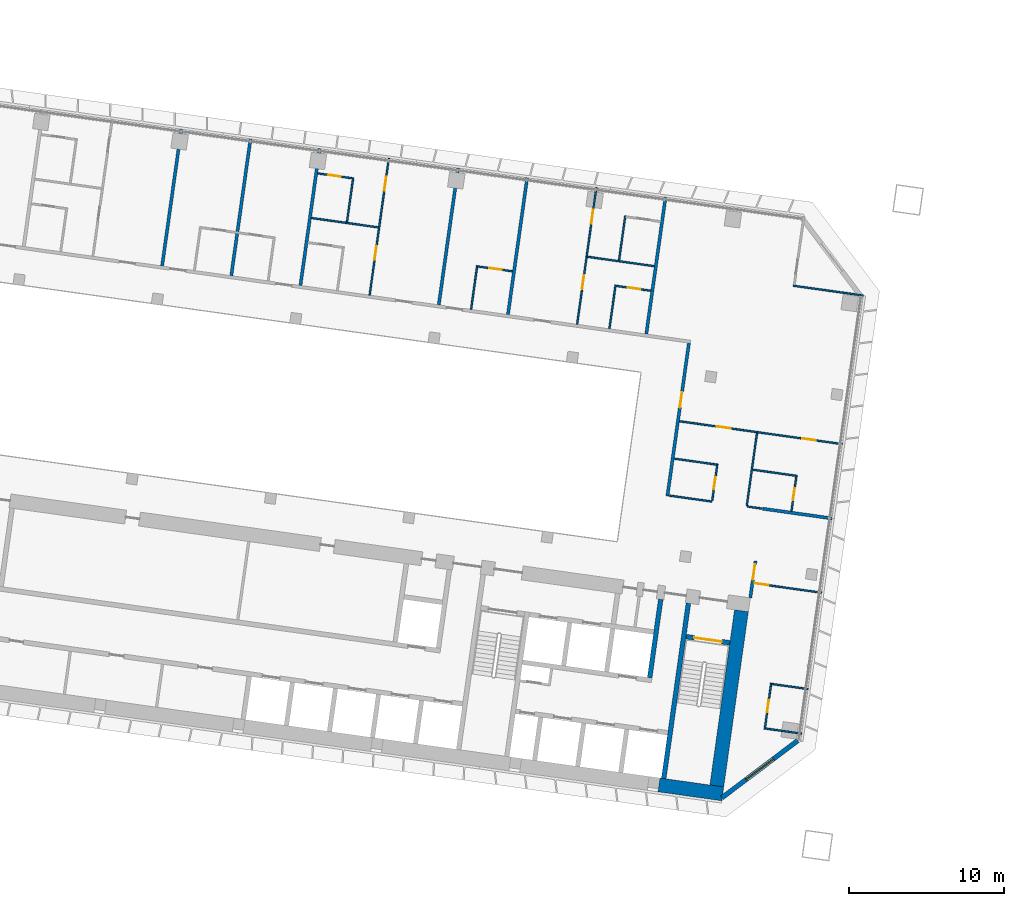
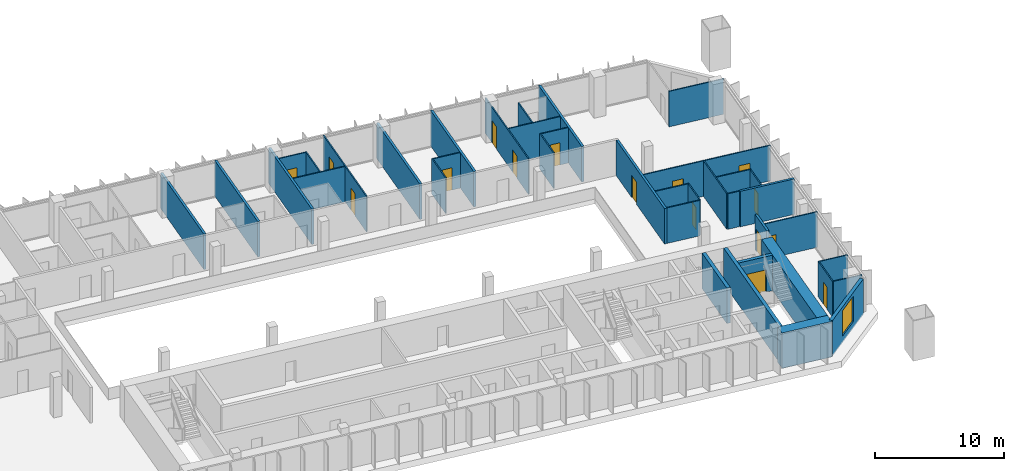
# One storey, part 17 of 25: 39 walls, 16 doors, 1 window, 17 openings.
"""IFC4 building model written with IfcOpenShell, lengths in metres."""

from ifc_helpers import new_model, si_unit, direction, frame, frame_2d, origin, place, context, subcontext, project, spatial, rectangle, extrude, material, layer, layer_set, type_object, element, fill, save


model = new_model("IFC4")

# Units and contexts
model_context = context("Model", 3, precision=1e-05, world=origin(), true_north=direction((0.0, 1.0)))
body_context = subcontext(model_context, "Body", "Model", "MODEL_VIEW")
ifc_project = project(units=[si_unit("LENGTHUNIT", "METRE"), si_unit("AREAUNIT", "SQUARE_METRE"), si_unit("VOLUMEUNIT", "CUBIC_METRE"), si_unit("PLANEANGLEUNIT", "RADIAN"), si_unit("MASSUNIT", "GRAM", prefix="KILO")], contexts=[model_context])

# Site, building, storey
site_placement = place(None, origin())
site = spatial("IfcSite", under=ifc_project, at=site_placement, CompositionType="ELEMENT")
building_placement = place(site_placement, origin())
building = spatial("IfcBuilding", under=site, at=building_placement, Name="Mirante Cascada Hotel Towers", CompositionType="ELEMENT")
storey_placement = place(building_placement, frame((0.0, 0.0, 54.7)))
storey = spatial("IfcBuildingStorey", under=building, at=storey_placement, Name="L10", CompositionType="ELEMENT", Elevation=54.7)

# Wall
ifc_material_1 = material(Name="Fire-rated plasterboard on metal studs")
ifc_layer_1 = layer(ifc_material_1, 0.2)
ifc_layer_set_1 = layer_set([ifc_layer_1], Name="Compartment wall 200 EI 120")
wall_type_1 = type_object("IfcWallType", Name="Compartment wall 200 EI 120", PredefinedType="PARTITIONING", material=ifc_layer_set_1)
wall_1_placement = place(storey_placement, frame((-34.4562, -1.3737, 0.0), z_axis=(0.0, 0.0, 1.0), x_axis=(0.9902674, -0.1391779, 0.0)))
element("IfcWall", 1, at=wall_1_placement, inside=storey, type_object=wall_type_1, Name="Wall 1-L10-04", PredefinedType="PARTITIONING", context=body_context, shape_type="SweptSolid", body=[
    extrude(rectangle(XDim=4.5, YDim=0.2, at=frame_2d((2.25, 0.0))), origin(), (0.0, 0.0, 1.0), 3.35),
])

# Wall, opening, door
wall_2_placement = place(storey_placement, frame((-35.2634, -7.1173, 0.0), z_axis=(0.0, 0.0, 1.0), x_axis=(0.1391635, 0.9902694, 0.0)))
wall_2 = element("IfcWall", 2, at=wall_2_placement, inside=storey, type_object=wall_type_1, Name="Wall 1-L10-33", PredefinedType="PARTITIONING", context=body_context, shape_type="SweptSolid", body=[
    extrude(rectangle(XDim=2.4001, YDim=0.2, at=frame_2d((1.2, 0.0))), origin(), (0.0, 0.0, 1.0), 3.35),
])
opening_1_placement = place(wall_2_placement, frame((1.1833, 0.0, 0.0)))
opening_1 = element("IfcOpeningElement", 3, at=opening_1_placement, cuts=wall_2, Name="Opening D1-L10-28", PredefinedType="OPENING", context=body_context, shape_type="SweptSolid", body=[
    extrude(rectangle(XDim=1.0, YDim=2.1, at=frame_2d((0.5, 1.05))), frame((0.0, 0.1, 0.0), z_axis=(0.0, -1.0, 0.0), x_axis=(1.0, 0.0, 0.0)), (0.0, 0.0, 1.0), 0.2),
])
ifc_material_2 = material(Name="Fire-rated timber door leaf", Category="wood")
door_type_1 = type_object("IfcDoorType", Name="Entrance door DG1 1000x2100 EI 60", OperationType="SINGLE_SWING_LEFT", PredefinedType="DOOR", material=ifc_material_2)
door_1_placement = place(opening_1_placement, frame((1.0, 0.0, 0.0), z_axis=(0.0, 0.0, 1.0), x_axis=(-1.0, 0.0, 0.0)))
door_1 = element("IfcDoor", 4, at=door_1_placement, inside=storey, type_object=door_type_1, Name="Door D1-L10-28", OperationType="SINGLE_SWING_RIGHT", OverallHeight=2.1, OverallWidth=1.0, PredefinedType="DOOR", context=body_context, shape_type="SweptSolid", body=[
    extrude(rectangle(XDim=1.0, YDim=2.1, at=frame_2d((0.5, 1.05))), frame((0.0, 0.025, 0.0), z_axis=(0.0, -1.0, 0.0), x_axis=(1.0, 0.0, 0.0)), (0.0, 0.0, 1.0), 0.05),
])
fill(opening_1, door_1)

wall_3_placement = place(storey_placement, frame((-40.6028, -0.5604, 0.0), z_axis=(0.0, 0.0, 1.0), x_axis=(0.1391655, 0.9902691, 0.0)))
wall_3 = element("IfcWall", 5, at=wall_3_placement, inside=storey, type_object=wall_type_1, Name="Wall 1-L10-37", PredefinedType="PARTITIONING", context=body_context, shape_type="SweptSolid", body=[
    extrude(rectangle(XDim=9.95, YDim=0.2, at=frame_2d((4.975, 0.0))), origin(), (0.0, 0.0, 1.0), 3.35),
])
opening_2_placement = place(wall_3_placement, frame((5.7666, 0.0, 0.0)))
opening_2 = element("IfcOpeningElement", 6, at=opening_2_placement, cuts=wall_3, Name="Opening D1-L10-31", PredefinedType="OPENING", context=body_context, shape_type="SweptSolid", body=[
    extrude(rectangle(XDim=1.0, YDim=2.1, at=frame_2d((0.5, 1.05))), frame((0.0, 0.1, 0.0), z_axis=(0.0, -1.0, 0.0), x_axis=(1.0, 0.0, 0.0)), (0.0, 0.0, 1.0), 0.2),
])
door_2_placement = place(opening_2_placement, frame((1.0, 0.0, 0.0), z_axis=(0.0, 0.0, 1.0), x_axis=(-1.0, 0.0, 0.0)))
door_2 = element("IfcDoor", 7, at=door_2_placement, inside=storey, type_object=door_type_1, Name="Door D1-L10-31", OperationType="SINGLE_SWING_RIGHT", OverallHeight=2.1, OverallWidth=1.0, PredefinedType="DOOR", context=body_context, shape_type="SweptSolid", body=[
    extrude(rectangle(XDim=1.0, YDim=2.1, at=frame_2d((0.5, 1.05))), frame((0.0, 0.025, 0.0), z_axis=(0.0, -1.0, 0.0), x_axis=(1.0, 0.0, 0.0)), (0.0, 0.0, 1.0), 0.05),
])
fill(opening_2, door_2)

# Walls
for number, where, z_axis, x_axis, name in (
    (8, (-40.7243, 18.6939, 0.0), (0.0, 0.0, 1.0), (-0.1391794, -0.9902672, 0.0), "Wall 1-L10-38"),
    (9, (-49.6367, 19.9465, 0.0), (0.0, 0.0, 1.0), (-0.1391794, -0.9902672, 0.0), "Wall 1-L10-42"),
    (10, (-54.0929, 20.5728, 0.0), (0.0, 0.0, 1.0), (-0.1391794, -0.9902672, 0.0), "Wall 1-L10-44"),
    (11, (-63.0054, 21.8253, 0.0), (0.0, 0.0, 1.0), (-0.1391684, -0.9902687, 0.0), "Wall 1-L10-48"),
    (12, (-67.4616, 22.4516, 0.0), (0.0, 0.0, 1.0), (-0.1391684, -0.9902687, 0.0), "Wall 1-L10-50"),
    (13, (-71.9178, 23.0779, 0.0), (0.0, 0.0, 1.0), (-0.1391684, -0.9902687, 0.0), "Wall 1-L10-52"),
):
    element("IfcWall", number, at=place(storey_placement, frame(where, z_axis=z_axis, x_axis=x_axis)), inside=storey, type_object=wall_type_1, Name=name, PredefinedType="PARTITIONING", context=body_context, shape_type="SweptSolid", body=[
        extrude(rectangle(XDim=8.9, YDim=0.2, at=frame_2d((4.45, 0.0))), origin(), (0.0, 0.0, 1.0), 3.35),
    ])
ifc_material_3 = material(Name="Plasterboard on metal studs")
ifc_layer_2 = layer(ifc_material_3, 0.1)
ifc_layer_set_2 = layer_set([ifc_layer_2], Name="Partition 100")
wall_type_2 = type_object("IfcWallType", Name="Partition 100", PredefinedType="PARTITIONING", material=ifc_layer_set_2)
for number, where, z_axis, x_axis, name in (
    (14, (-31.9484, -15.8638, 0.0), (0.0, 0.0, 1.0), (-0.9902661, 0.139187, 0.0), "Wall 1-L10-01"),
    (15, (-33.872, -12.6649, 0.0), (0.0, 0.0, 1.0), (0.9902661, -0.139187, 0.0), "Wall 1-L10-02"),
):
    element("IfcWall", number, at=place(storey_placement, frame(where, z_axis=z_axis, x_axis=x_axis)), inside=storey, type_object=wall_type_2, Name=name, PredefinedType="PARTITIONING", context=body_context, shape_type="SweptSolid", body=[
        extrude(rectangle(XDim=2.3501, YDim=0.1, at=frame_2d((1.175, 0.0))), origin(), (0.0, 0.0, 1.0), 3.35),
    ])

# Wall, opening, door
wall_4_placement = place(storey_placement, frame((-30.6727, -6.7863, 0.0), z_axis=(0.0, 0.0, 1.0), x_axis=(-0.9902665, 0.1391841, 0.0)))
wall_4 = element("IfcWall", 16, at=wall_4_placement, inside=storey, type_object=wall_type_2, Name="Wall 1-L10-03", PredefinedType="PARTITIONING", context=body_context, shape_type="SweptSolid", body=[
    extrude(rectangle(XDim=4.3999, YDim=0.1, at=frame_2d((2.2, 0.0))), origin(), (0.0, 0.0, 1.0), 3.35),
])
opening_3_placement = place(wall_4_placement, frame((3.45, 0.0, 0.0)))
opening_3 = element("IfcOpeningElement", 17, at=opening_3_placement, cuts=wall_4, Name="Opening D1-L10-01", PredefinedType="OPENING", context=body_context, shape_type="SweptSolid", body=[
    extrude(rectangle(XDim=0.9, YDim=2.1, at=frame_2d((0.45, 1.05))), frame((0.0, 0.05, 0.0), z_axis=(0.0, -1.0, 0.0), x_axis=(1.0, 0.0, 0.0)), (0.0, 0.0, 1.0), 0.1),
])
ifc_material_4 = material(Name="Timber door leaf", Category="wood")
door_type_2 = type_object("IfcDoorType", Name="Room door DG3 900x2100", OperationType="SINGLE_SWING_LEFT", PredefinedType="DOOR", material=ifc_material_4)
door_3_placement = place(opening_3_placement, origin())
door_3 = element("IfcDoor", 18, at=door_3_placement, inside=storey, type_object=door_type_2, Name="Door D1-L10-01", OperationType="SINGLE_SWING_LEFT", OverallHeight=2.1, OverallWidth=0.9, PredefinedType="DOOR", context=body_context, shape_type="SweptSolid", body=[
    extrude(rectangle(XDim=0.9, YDim=2.1, at=frame_2d((0.45, 1.05))), frame((0.0, 0.025, 0.0), z_axis=(0.0, -1.0, 0.0), x_axis=(1.0, 0.0, 0.0)), (0.0, 0.0, 1.0), 0.05),
])
fill(opening_3, door_3)

# Walls
wall_5_placement = place(storey_placement, frame((-34.4859, -1.3695, 0.0), z_axis=(0.0, 0.0, 1.0), x_axis=(-0.9902801, 0.1390877, 0.0)))
element("IfcWall", 19, at=wall_5_placement, inside=storey, type_object=wall_type_2, Name="Wall 1-L10-05", PredefinedType="PARTITIONING", context=body_context, shape_type="SweptSolid", body=[
    extrude(rectangle(XDim=0.99, YDim=0.1, at=frame_2d((0.495, 0.0))), origin(), (0.0, 0.0, 1.0), 3.35),
])
wall_6_placement = place(storey_placement, frame((-40.4671, -0.5289, 0.0), z_axis=(0.0, 0.0, 1.0), x_axis=(0.9902645, -0.1391984, 0.0)))
element("IfcWall", 20, at=wall_6_placement, inside=storey, type_object=wall_type_2, Name="Wall 1-L10-06", PredefinedType="PARTITIONING", context=body_context, shape_type="SweptSolid", body=[
    extrude(rectangle(XDim=2.74, YDim=0.1, at=frame_2d((1.37, 0.0))), origin(), (0.0, 0.0, 1.0), 3.35),
])
wall_7_placement = place(storey_placement, frame((-35.1125, 1.1421, 0.0), z_axis=(0.0, 0.0, 1.0), x_axis=(0.9902683, -0.1391714, 0.0)))
element("IfcWall", 21, at=wall_7_placement, inside=storey, type_object=wall_type_2, Name="Wall 1-L10-08", PredefinedType="PARTITIONING", context=body_context, shape_type="SweptSolid", body=[
    extrude(rectangle(XDim=2.9, YDim=0.1, at=frame_2d((1.45, 0.0))), origin(), (0.0, 0.0, 1.0), 3.35),
])
wall_8_placement = place(storey_placement, frame((-37.3406, 1.4552, 0.0), z_axis=(0.0, 0.0, 1.0), x_axis=(-0.9902649, 0.1391957, 0.0)))
element("IfcWall", 22, at=wall_8_placement, inside=storey, type_object=wall_type_2, Name="Wall 1-L10-09", PredefinedType="PARTITIONING", context=body_context, shape_type="SweptSolid", body=[
    extrude(rectangle(XDim=2.8499, YDim=0.1, at=frame_2d((1.425, 0.0))), origin(), (0.0, 0.0, 1.0), 3.35),
])

# Wall, openings, doors
wall_9_placement = place(storey_placement, frame((-39.8242, 4.2615, 0.0), z_axis=(0.0, 0.0, 1.0), x_axis=(0.9902686, -0.1391691, 0.0)))
wall_9 = element("IfcWall", 23, at=wall_9_placement, inside=storey, type_object=wall_type_2, Name="Wall 1-L10-12", PredefinedType="PARTITIONING", context=body_context, shape_type="SweptSolid", body=[
    extrude(rectangle(XDim=10.6001, YDim=0.1, at=frame_2d((5.3, 0.0))), origin(), (0.0, 0.0, 1.0), 3.35),
])
opening_4_placement = place(wall_9_placement, frame((7.975, 0.0, 0.0)))
opening_4 = element("IfcOpeningElement", 24, at=opening_4_placement, cuts=wall_9, Name="Opening D1-L10-04", PredefinedType="OPENING", context=body_context, shape_type="SweptSolid", body=[
    extrude(rectangle(XDim=0.9, YDim=2.1, at=frame_2d((0.45, 1.05))), frame((0.0, 0.05, 0.0), z_axis=(0.0, -1.0, 0.0), x_axis=(1.0, 0.0, 0.0)), (0.0, 0.0, 1.0), 0.1),
])
opening_5_placement = place(wall_9_placement, frame((2.425, 0.0, 0.0)))
opening_5 = element("IfcOpeningElement", 25, at=opening_5_placement, cuts=wall_9, Name="Opening D1-L10-05", PredefinedType="OPENING", context=body_context, shape_type="SweptSolid", body=[
    extrude(rectangle(XDim=0.9, YDim=2.1, at=frame_2d((0.45, 1.05))), frame((0.0, 0.05, 0.0), z_axis=(0.0, -1.0, 0.0), x_axis=(1.0, 0.0, 0.0)), (0.0, 0.0, 1.0), 0.1),
])
door_4_placement = place(opening_4_placement, origin())
door_4 = element("IfcDoor", 26, at=door_4_placement, inside=storey, type_object=door_type_2, Name="Door D1-L10-04", OperationType="SINGLE_SWING_LEFT", OverallHeight=2.1, OverallWidth=0.9, PredefinedType="DOOR", context=body_context, shape_type="SweptSolid", body=[
    extrude(rectangle(XDim=0.9, YDim=2.1, at=frame_2d((0.45, 1.05))), frame((0.0, 0.025, 0.0), z_axis=(0.0, -1.0, 0.0), x_axis=(1.0, 0.0, 0.0)), (0.0, 0.0, 1.0), 0.05),
])
fill(opening_4, door_4)
door_5_placement = place(opening_5_placement, origin())
door_5 = element("IfcDoor", 27, at=door_5_placement, inside=storey, type_object=door_type_2, Name="Door D1-L10-05", OperationType="SINGLE_SWING_LEFT", OverallHeight=2.1, OverallWidth=0.9, PredefinedType="DOOR", context=body_context, shape_type="SweptSolid", body=[
    extrude(rectangle(XDim=0.9, YDim=2.1, at=frame_2d((0.45, 1.05))), frame((0.0, 0.025, 0.0), z_axis=(0.0, -1.0, 0.0), x_axis=(1.0, 0.0, 0.0)), (0.0, 0.0, 1.0), 0.05),
])
fill(opening_5, door_5)

# Wall, opening, door
wall_10_placement = place(storey_placement, frame((-43.9004, 12.9804, 0.0), z_axis=(0.0, 0.0, 1.0), x_axis=(0.9902643, -0.1391997, 0.0)))
wall_10 = element("IfcWall", 28, at=wall_10_placement, inside=storey, type_object=wall_type_2, Name="Wall 1-L10-18", PredefinedType="PARTITIONING", context=body_context, shape_type="SweptSolid", body=[
    extrude(rectangle(XDim=2.25, YDim=0.1, at=frame_2d((1.125, 0.0))), origin(), (0.0, 0.0, 1.0), 3.35),
])
opening_6_placement = place(wall_10_placement, frame((0.75, 0.0, 0.0)))
opening_6 = element("IfcOpeningElement", 29, at=opening_6_placement, cuts=wall_10, Name="Opening D1-L10-16", PredefinedType="OPENING", context=body_context, shape_type="SweptSolid", body=[
    extrude(rectangle(XDim=0.8, YDim=2.1, at=frame_2d((0.4, 1.05))), frame((0.0, 0.05, 0.0), z_axis=(0.0, -1.0, 0.0), x_axis=(1.0, 0.0, 0.0)), (0.0, 0.0, 1.0), 0.1),
])
ifc_material_5 = material(Name="Timber door leaf", Category="wood")
door_type_3 = type_object("IfcDoorType", Name="Bathroom door DG4 800x2100", OperationType="SINGLE_SWING_LEFT", PredefinedType="DOOR", material=ifc_material_5)
door_6_placement = place(opening_6_placement, frame((0.8, 0.0, 0.0), z_axis=(0.0, 0.0, 1.0), x_axis=(-1.0, 0.0, 0.0)))
door_6 = element("IfcDoor", 30, at=door_6_placement, inside=storey, type_object=door_type_3, Name="Door D1-L10-16", OperationType="SINGLE_SWING_RIGHT", OverallHeight=2.1, OverallWidth=0.8, PredefinedType="DOOR", context=body_context, shape_type="SweptSolid", body=[
    extrude(rectangle(XDim=0.8, YDim=2.1, at=frame_2d((0.4, 1.05))), frame((0.0, 0.025, 0.0), z_axis=(0.0, -1.0, 0.0), x_axis=(1.0, 0.0, 0.0)), (0.0, 0.0, 1.0), 0.05),
])
fill(opening_6, door_6)

wall_11_placement = place(storey_placement, frame((-50.5847, 13.9198, 0.0), z_axis=(0.0, 0.0, 1.0), x_axis=(-0.9902705, 0.1391561, 0.0)))
wall_11 = element("IfcWall", 31, at=wall_11_placement, inside=storey, type_object=wall_type_2, Name="Wall 1-L10-19", PredefinedType="PARTITIONING", context=body_context, shape_type="SweptSolid", body=[
    extrude(rectangle(XDim=2.25, YDim=0.1, at=frame_2d((1.125, 0.0))), origin(), (0.0, 0.0, 1.0), 3.35),
])
opening_7_placement = place(wall_11_placement, frame((0.7, 0.0, 0.0)))
opening_7 = element("IfcOpeningElement", 32, at=opening_7_placement, cuts=wall_11, Name="Opening D1-L10-17", PredefinedType="OPENING", context=body_context, shape_type="SweptSolid", body=[
    extrude(rectangle(XDim=0.8, YDim=2.1, at=frame_2d((0.4, 1.05))), frame((0.0, 0.05, 0.0), z_axis=(0.0, -1.0, 0.0), x_axis=(1.0, 0.0, 0.0)), (0.0, 0.0, 1.0), 0.1),
])
door_7_placement = place(opening_7_placement, frame((0.8, 0.0, 0.0), z_axis=(0.0, 0.0, 1.0), x_axis=(-1.0, 0.0, 0.0)))
door_7 = element("IfcDoor", 33, at=door_7_placement, inside=storey, type_object=door_type_3, Name="Door D1-L10-17", OperationType="SINGLE_SWING_RIGHT", OverallHeight=2.1, OverallWidth=0.8, PredefinedType="DOOR", context=body_context, shape_type="SweptSolid", body=[
    extrude(rectangle(XDim=0.8, YDim=2.1, at=frame_2d((0.4, 1.05))), frame((0.0, 0.025, 0.0), z_axis=(0.0, -1.0, 0.0), x_axis=(1.0, 0.0, 0.0)), (0.0, 0.0, 1.0), 0.05),
])
fill(opening_7, door_7)

# Walls
wall_12_placement = place(storey_placement, frame((-32.4877, 12.9921, 0.0), z_axis=(0.0, 0.0, 1.0), x_axis=(0.9902691, -0.1391656, 0.0)))
element("IfcWall", 34, at=wall_12_placement, inside=storey, type_object=wall_type_2, Name="Wall 1-L10-24", PredefinedType="PARTITIONING", context=body_context, shape_type="SweptSolid", body=[
    extrude(rectangle(XDim=4.55, YDim=0.1, at=frame_2d((2.275, 0.0))), origin(), (0.0, 0.0, 1.0), 3.35),
])
for number, where, z_axis, x_axis, name in (
    (35, (-41.4496, 14.2516, 0.0), (0.0, 0.0, 1.0), (-0.9902683, 0.1391714, 0.0), "Wall 1-L10-25"),
    (36, (-63.5326, 17.3552, 0.0), (0.0, 0.0, 1.0), (0.9902683, -0.1391714, 0.0), "Wall 1-L10-26"),
):
    element("IfcWall", number, at=place(storey_placement, frame(where, z_axis=z_axis, x_axis=x_axis)), inside=storey, type_object=wall_type_2, Name=name, PredefinedType="PARTITIONING", context=body_context, shape_type="SweptSolid", body=[
        extrude(rectangle(XDim=4.35, YDim=0.1, at=frame_2d((2.175, 0.0))), origin(), (0.0, 0.0, 1.0), 3.35),
    ])

# Wall, opening, door
wall_13_placement = place(storey_placement, frame((-60.9009, 19.9138, 0.0), z_axis=(0.0, 0.0, 1.0), x_axis=(-0.9902643, 0.1391997, 0.0)))
wall_13 = element("IfcWall", 37, at=wall_13_placement, inside=storey, type_object=wall_type_2, Name="Wall 1-L10-29", PredefinedType="PARTITIONING", context=body_context, shape_type="SweptSolid", body=[
    extrude(rectangle(XDim=2.25, YDim=0.1, at=frame_2d((1.125, 0.0))), origin(), (0.0, 0.0, 1.0), 3.35),
])
opening_8_placement = place(wall_13_placement, frame((0.75, 0.0, 0.0)))
opening_8 = element("IfcOpeningElement", 38, at=opening_8_placement, cuts=wall_13, Name="Opening D1-L10-24", PredefinedType="OPENING", context=body_context, shape_type="SweptSolid", body=[
    extrude(rectangle(XDim=0.8, YDim=2.1, at=frame_2d((0.4, 1.05))), frame((0.0, 0.05, 0.0), z_axis=(0.0, -1.0, 0.0), x_axis=(1.0, 0.0, 0.0)), (0.0, 0.0, 1.0), 0.1),
])
door_8_placement = place(opening_8_placement, origin())
door_8 = element("IfcDoor", 39, at=door_8_placement, inside=storey, type_object=door_type_3, Name="Door D1-L10-24", OperationType="SINGLE_SWING_LEFT", OverallHeight=2.1, OverallWidth=0.8, PredefinedType="DOOR", context=body_context, shape_type="SweptSolid", body=[
    extrude(rectangle(XDim=0.8, YDim=2.1, at=frame_2d((0.4, 1.05))), frame((0.0, 0.025, 0.0), z_axis=(0.0, -1.0, 0.0), x_axis=(1.0, 0.0, 0.0)), (0.0, 0.0, 1.0), 0.05),
])
fill(opening_8, door_8)

wall_14_placement = place(storey_placement, frame((-34.332, -15.5793, 0.0), z_axis=(0.0, 0.0, 1.0), x_axis=(0.1391624, 0.9902696, 0.0)))
wall_14 = element("IfcWall", 40, at=wall_14_placement, inside=storey, type_object=wall_type_2, Name="Wall 1-L10-31", PredefinedType="PARTITIONING", context=body_context, shape_type="SweptSolid", body=[
    extrude(rectangle(XDim=3.0001, YDim=0.1, at=frame_2d((1.5001, 0.0))), origin(), (0.0, 0.0, 1.0), 3.35),
])
opening_9_placement = place(wall_14_placement, frame((1.1, 0.0, 0.0)))
opening_9 = element("IfcOpeningElement", 41, at=opening_9_placement, cuts=wall_14, Name="Opening D1-L10-26", PredefinedType="OPENING", context=body_context, shape_type="SweptSolid", body=[
    extrude(rectangle(XDim=0.8, YDim=2.1, at=frame_2d((0.4, 1.05))), frame((0.0, 0.05, 0.0), z_axis=(0.0, -1.0, 0.0), x_axis=(1.0, 0.0, 0.0)), (0.0, 0.0, 1.0), 0.1),
])
door_9_placement = place(opening_9_placement, origin())
door_9 = element("IfcDoor", 42, at=door_9_placement, inside=storey, type_object=door_type_3, Name="Door D1-L10-26", OperationType="SINGLE_SWING_LEFT", OverallHeight=2.1, OverallWidth=0.8, PredefinedType="DOOR", context=body_context, shape_type="SweptSolid", body=[
    extrude(rectangle(XDim=0.8, YDim=2.1, at=frame_2d((0.4, 1.05))), frame((0.0, 0.025, 0.0), z_axis=(0.0, -1.0, 0.0), x_axis=(1.0, 0.0, 0.0)), (0.0, 0.0, 1.0), 0.05),
])
fill(opening_9, door_9)

wall_15_placement = place(storey_placement, frame((-32.2972, 0.6959, 0.0), z_axis=(0.0, 0.0, 1.0), x_axis=(-0.1391561, -0.9902705, 0.0)))
wall_15 = element("IfcWall", 43, at=wall_15_placement, inside=storey, type_object=wall_type_2, Name="Wall 1-L10-32", PredefinedType="PARTITIONING", context=body_context, shape_type="SweptSolid", body=[
    extrude(rectangle(XDim=2.25, YDim=0.1, at=frame_2d((1.125, 0.0))), origin(), (0.0, 0.0, 1.0), 3.35),
])
opening_10_placement = place(wall_15_placement, frame((0.75, 0.0, 0.0)))
opening_10 = element("IfcOpeningElement", 44, at=opening_10_placement, cuts=wall_15, Name="Opening D1-L10-27", PredefinedType="OPENING", context=body_context, shape_type="SweptSolid", body=[
    extrude(rectangle(XDim=0.8, YDim=2.1, at=frame_2d((0.4, 1.05))), frame((0.0, 0.05, 0.0), z_axis=(0.0, -1.0, 0.0), x_axis=(1.0, 0.0, 0.0)), (0.0, 0.0, 1.0), 0.1),
])
door_10_placement = place(opening_10_placement, frame((0.8, 0.0, 0.0), z_axis=(0.0, 0.0, 1.0), x_axis=(-1.0, 0.0, 0.0)))
door_10 = element("IfcDoor", 45, at=door_10_placement, inside=storey, type_object=door_type_3, Name="Door D1-L10-27", OperationType="SINGLE_SWING_RIGHT", OverallHeight=2.1, OverallWidth=0.8, PredefinedType="DOOR", context=body_context, shape_type="SweptSolid", body=[
    extrude(rectangle(XDim=0.8, YDim=2.1, at=frame_2d((0.4, 1.05))), frame((0.0, 0.025, 0.0), z_axis=(0.0, -1.0, 0.0), x_axis=(1.0, 0.0, 0.0)), (0.0, 0.0, 1.0), 0.05),
])
fill(opening_10, door_10)

# Wall
wall_16_placement = place(storey_placement, frame((-35.489, -1.1781, 0.0), z_axis=(0.0, 0.0, 1.0), x_axis=(0.1391613, 0.9902697, 0.0)))
element("IfcWall", 46, at=wall_16_placement, inside=storey, type_object=wall_type_2, Name="Wall 1-L10-35", PredefinedType="PARTITIONING", context=body_context, shape_type="SweptSolid", body=[
    extrude(rectangle(XDim=4.7334, YDim=0.1, at=frame_2d((2.3667, 0.0))), origin(), (0.0, 0.0, 1.0), 3.35),
])

# Wall, opening, door
wall_17_placement = place(storey_placement, frame((-37.397, 1.4127, 0.0), z_axis=(0.0, 0.0, 1.0), x_axis=(-0.1391749, -0.9902678, 0.0)))
wall_17 = element("IfcWall", 47, at=wall_17_placement, inside=storey, type_object=wall_type_2, Name="Wall 1-L10-36", PredefinedType="PARTITIONING", context=body_context, shape_type="SweptSolid", body=[
    extrude(rectangle(XDim=2.3, YDim=0.1, at=frame_2d((1.15, 0.0))), origin(), (0.0, 0.0, 1.0), 3.35),
])
opening_11_placement = place(wall_17_placement, frame((0.75, 0.0, 0.0)))
opening_11 = element("IfcOpeningElement", 48, at=opening_11_placement, cuts=wall_17, Name="Opening D1-L10-30", PredefinedType="OPENING", context=body_context, shape_type="SweptSolid", body=[
    extrude(rectangle(XDim=0.8, YDim=2.1, at=frame_2d((0.4, 1.05))), frame((0.0, 0.05, 0.0), z_axis=(0.0, -1.0, 0.0), x_axis=(1.0, 0.0, 0.0)), (0.0, 0.0, 1.0), 0.1),
])
door_11_placement = place(opening_11_placement, frame((0.8, 0.0, 0.0), z_axis=(0.0, 0.0, 1.0), x_axis=(-1.0, 0.0, 0.0)))
door_11 = element("IfcDoor", 49, at=door_11_placement, inside=storey, type_object=door_type_3, Name="Door D1-L10-30", OperationType="SINGLE_SWING_RIGHT", OverallHeight=2.1, OverallWidth=0.8, PredefinedType="DOOR", context=body_context, shape_type="SweptSolid", body=[
    extrude(rectangle(XDim=0.8, YDim=2.1, at=frame_2d((0.4, 1.05))), frame((0.0, 0.025, 0.0), z_axis=(0.0, -1.0, 0.0), x_axis=(1.0, 0.0, 0.0)), (0.0, 0.0, 1.0), 0.05),
])
fill(opening_11, door_11)

# Walls
wall_18_placement = place(storey_placement, frame((-44.3396, 10.2146, 0.0), z_axis=(0.0, 0.0, 1.0), x_axis=(0.1391613, 0.9902697, 0.0)))
element("IfcWall", 50, at=wall_18_placement, inside=storey, type_object=wall_type_2, Name="Wall 1-L10-39", PredefinedType="PARTITIONING", context=body_context, shape_type="SweptSolid", body=[
    extrude(rectangle(XDim=2.8499, YDim=0.1, at=frame_2d((1.425, 0.0))), origin(), (0.0, 0.0, 1.0), 3.35),
])
wall_19_placement = place(storey_placement, frame((-43.3167, 17.493, 0.0), z_axis=(0.0, 0.0, 1.0), x_axis=(-0.1391761, -0.9902676, 0.0)))
element("IfcWall", 51, at=wall_19_placement, inside=storey, type_object=wall_type_2, Name="Wall 1-L10-40", PredefinedType="PARTITIONING", context=body_context, shape_type="SweptSolid", body=[
    extrude(rectangle(XDim=2.8999, YDim=0.1, at=frame_2d((1.45, 0.0))), origin(), (0.0, 0.0, 1.0), 3.35),
])

# Wall, openings, doors
wall_20_placement = place(storey_placement, frame((-46.4192, 10.5068, 0.0), z_axis=(0.0, 0.0, 1.0), x_axis=(0.1391794, 0.9902672, 0.0)))
wall_20 = element("IfcWall", 52, at=wall_20_placement, inside=storey, type_object=wall_type_2, Name="Wall 1-L10-41", PredefinedType="PARTITIONING", context=body_context, shape_type="SweptSolid", body=[
    extrude(rectangle(XDim=8.9, YDim=0.1, at=frame_2d((4.45, 0.0))), origin(), (0.0, 0.0, 1.0), 3.35),
])
opening_12_placement = place(wall_20_placement, frame((2.3, 0.0, 0.0)))
opening_12 = element("IfcOpeningElement", 53, at=opening_12_placement, cuts=wall_20, Name="Opening D1-L10-32", PredefinedType="OPENING", context=body_context, shape_type="SweptSolid", body=[
    extrude(rectangle(XDim=0.9, YDim=2.1, at=frame_2d((0.45, 1.05))), frame((0.0, 0.05, 0.0), z_axis=(0.0, -1.0, 0.0), x_axis=(1.0, 0.0, 0.0)), (0.0, 0.0, 1.0), 0.1),
])
opening_13_placement = place(wall_20_placement, frame((6.55, 0.0, 0.0)))
opening_13 = element("IfcOpeningElement", 54, at=opening_13_placement, cuts=wall_20, Name="Opening D1-L10-33", PredefinedType="OPENING", context=body_context, shape_type="SweptSolid", body=[
    extrude(rectangle(XDim=0.9, YDim=2.1, at=frame_2d((0.45, 1.05))), frame((0.0, 0.05, 0.0), z_axis=(0.0, -1.0, 0.0), x_axis=(1.0, 0.0, 0.0)), (0.0, 0.0, 1.0), 0.1),
])
door_12_placement = place(opening_12_placement, origin())
door_12 = element("IfcDoor", 55, at=door_12_placement, inside=storey, type_object=door_type_2, Name="Door D1-L10-32", OperationType="SINGLE_SWING_LEFT", OverallHeight=2.1, OverallWidth=0.9, PredefinedType="DOOR", context=body_context, shape_type="SweptSolid", body=[
    extrude(rectangle(XDim=0.9, YDim=2.1, at=frame_2d((0.45, 1.05))), frame((0.0, 0.025, 0.0), z_axis=(0.0, -1.0, 0.0), x_axis=(1.0, 0.0, 0.0)), (0.0, 0.0, 1.0), 0.05),
])
fill(opening_12, door_12)
door_13_placement = place(opening_13_placement, origin())
door_13 = element("IfcDoor", 56, at=door_13_placement, inside=storey, type_object=door_type_2, Name="Door D1-L10-33", OperationType="SINGLE_SWING_LEFT", OverallHeight=2.1, OverallWidth=0.9, PredefinedType="DOOR", context=body_context, shape_type="SweptSolid", body=[
    extrude(rectangle(XDim=0.9, YDim=2.1, at=frame_2d((0.45, 1.05))), frame((0.0, 0.025, 0.0), z_axis=(0.0, -1.0, 0.0), x_axis=(1.0, 0.0, 0.0)), (0.0, 0.0, 1.0), 0.05),
])
fill(opening_13, door_13)

# Wall
wall_21_placement = place(storey_placement, frame((-53.252, 11.4671, 0.0), z_axis=(0.0, 0.0, 1.0), x_axis=(0.1391564, 0.9902704, 0.0)))
element("IfcWall", 57, at=wall_21_placement, inside=storey, type_object=wall_type_2, Name="Wall 1-L10-43", PredefinedType="PARTITIONING", context=body_context, shape_type="SweptSolid", body=[
    extrude(rectangle(XDim=2.85, YDim=0.1, at=frame_2d((1.425, 0.0))), origin(), (0.0, 0.0, 1.0), 3.35),
])

# Wall, openings, doors
wall_22_placement = place(storey_placement, frame((-59.7878, 12.3857, 0.0), z_axis=(0.0, 0.0, 1.0), x_axis=(0.13917, 0.9902685, 0.0)))
wall_22 = element("IfcWall", 58, at=wall_22_placement, inside=storey, type_object=wall_type_2, Name="Wall 1-L10-45", PredefinedType="PARTITIONING", context=body_context, shape_type="SweptSolid", body=[
    extrude(rectangle(XDim=8.8999, YDim=0.1, at=frame_2d((4.45, 0.0))), origin(), (0.0, 0.0, 1.0), 3.35),
])
opening_14_placement = place(wall_22_placement, frame((2.3, 0.0, 0.0)))
opening_14 = element("IfcOpeningElement", 59, at=opening_14_placement, cuts=wall_22, Name="Opening D1-L10-34", PredefinedType="OPENING", context=body_context, shape_type="SweptSolid", body=[
    extrude(rectangle(XDim=0.9, YDim=2.1, at=frame_2d((0.45, 1.05))), frame((0.0, 0.05, 0.0), z_axis=(0.0, -1.0, 0.0), x_axis=(1.0, 0.0, 0.0)), (0.0, 0.0, 1.0), 0.1),
])
opening_15_placement = place(wall_22_placement, frame((6.8, 0.0, 0.0)))
opening_15 = element("IfcOpeningElement", 60, at=opening_15_placement, cuts=wall_22, Name="Opening D1-L10-35", PredefinedType="OPENING", context=body_context, shape_type="SweptSolid", body=[
    extrude(rectangle(XDim=0.9, YDim=2.1, at=frame_2d((0.45, 1.05))), frame((0.0, 0.05, 0.0), z_axis=(0.0, -1.0, 0.0), x_axis=(1.0, 0.0, 0.0)), (0.0, 0.0, 1.0), 0.1),
])
door_14_placement = place(opening_14_placement, frame((0.9, 0.0, 0.0), z_axis=(0.0, 0.0, 1.0), x_axis=(-1.0, 0.0, 0.0)))
door_14 = element("IfcDoor", 61, at=door_14_placement, inside=storey, type_object=door_type_2, Name="Door D1-L10-34", OperationType="SINGLE_SWING_RIGHT", OverallHeight=2.1, OverallWidth=0.9, PredefinedType="DOOR", context=body_context, shape_type="SweptSolid", body=[
    extrude(rectangle(XDim=0.9, YDim=2.1, at=frame_2d((0.45, 1.05))), frame((0.0, 0.025, 0.0), z_axis=(0.0, -1.0, 0.0), x_axis=(1.0, 0.0, 0.0)), (0.0, 0.0, 1.0), 0.05),
])
fill(opening_14, door_14)
door_15_placement = place(opening_15_placement, frame((0.9, 0.0, 0.0), z_axis=(0.0, 0.0, 1.0), x_axis=(-1.0, 0.0, 0.0)))
door_15 = element("IfcDoor", 62, at=door_15_placement, inside=storey, type_object=door_type_2, Name="Door D1-L10-35", OperationType="SINGLE_SWING_RIGHT", OverallHeight=2.1, OverallWidth=0.9, PredefinedType="DOOR", context=body_context, shape_type="SweptSolid", body=[
    extrude(rectangle(XDim=0.9, YDim=2.1, at=frame_2d((0.45, 1.05))), frame((0.0, 0.025, 0.0), z_axis=(0.0, -1.0, 0.0), x_axis=(1.0, 0.0, 0.0)), (0.0, 0.0, 1.0), 0.05),
])
fill(opening_15, door_15)

# Wall
wall_23_placement = place(storey_placement, frame((-61.248, 17.0846, 0.0), z_axis=(0.0, 0.0, 1.0), x_axis=(0.1391714, 0.9902683, 0.0)))
element("IfcWall", 63, at=wall_23_placement, inside=storey, type_object=wall_type_2, Name="Wall 1-L10-47", PredefinedType="PARTITIONING", context=body_context, shape_type="SweptSolid", body=[
    extrude(rectangle(XDim=2.9, YDim=0.1, at=frame_2d((1.45, 0.0))), origin(), (0.0, 0.0, 1.0), 3.35),
])

# Wall, opening, window
ifc_material_6 = material(Name="Precast concrete C40/50", Category="concrete")
ifc_layer_3 = layer(ifc_material_6, 0.3)
ifc_layer_set_3 = layer_set([ifc_layer_3], Name="Precast concrete C40/50 cladding wall 300")
wall_type_3 = type_object("IfcWallType", Name="Precast concrete C40/50 cladding wall 300", PredefinedType="STANDARD", material=ifc_layer_set_3)
wall_24_placement = place(storey_placement, frame((-32.2074, -16.3138, 0.0), z_axis=(0.0, 0.0, 1.0), x_axis=(-0.7986362, -0.6018141, 0.0)))
wall_24 = element("IfcWall", 64, at=wall_24_placement, inside=storey, type_object=wall_type_3, Name="Corner cladding wall T1 L10 inner rear", PredefinedType="STANDARD", context=body_context, shape_type="SweptSolid", body=[
    extrude(rectangle(XDim=6.1157, YDim=0.3, at=frame_2d((3.0578, 0.0))), origin(), (0.0, 0.0, 1.0), 3.35),
])
opening_16_placement = place(wall_24_placement, frame((1.9578, 0.0, 0.6)))
opening_16 = element("IfcOpeningElement", 65, at=opening_16_placement, cuts=wall_24, Name="Opening W1-10-05", PredefinedType="OPENING", context=body_context, shape_type="SweptSolid", body=[
    extrude(rectangle(XDim=2.2, YDim=2.4, at=frame_2d((1.1, 1.2))), frame((0.0, 0.15, 0.0), z_axis=(0.0, -1.0, 0.0), x_axis=(1.0, 0.0, 0.0)), (0.0, 0.0, 1.0), 0.3),
])
ifc_material_7 = material(Name="Aluminium frame with clear double glazing", Category="aluminium")
window_type = type_object("IfcWindowType", Name="Corner suite window 2200x2400", PartitioningType="DOUBLE_PANEL_VERTICAL", PredefinedType="WINDOW", material=ifc_material_7)
window_placement = place(opening_16_placement, origin())
window = element("IfcWindow", 66, at=window_placement, inside=storey, type_object=window_type, Name="Window W1-10-05", OverallHeight=2.4, OverallWidth=2.2, PartitioningType="SINGLE_PANEL", PredefinedType="WINDOW", context=body_context, shape_type="SweptSolid", body=[
    extrude(rectangle(XDim=2.2, YDim=2.4, at=frame_2d((1.1, 1.2))), frame((0.0, 0.03, 0.0), z_axis=(0.0, -1.0, 0.0), x_axis=(1.0, 0.0, 0.0)), (0.0, 0.0, 1.0), 0.06),
])
fill(opening_16, window)

# Wall
ifc_material_8 = material(Name="Concrete C50/60", Category="concrete")
ifc_layer_4 = layer(ifc_material_8, 0.3)
ifc_layer_set_4 = layer_set([ifc_layer_4], Name="RC core wall 300 C50/60")
wall_type_4 = type_object("IfcWallType", Name="RC core wall 300 C50/60", PredefinedType="SHEAR", material=ifc_layer_set_4)
wall_25_placement = place(storey_placement, frame((-40.8373, -18.7548, 0.0), z_axis=(0.0, 0.0, 1.0), x_axis=(0.1391749, 0.9902678, 0.0)))
element("IfcWall", 67, at=wall_25_placement, inside=storey, type_object=wall_type_4, Name="Core wall T1:L10:5", PredefinedType="SHEAR", context=body_context, shape_type="SweptSolid", body=[
    extrude(rectangle(XDim=11.4, YDim=0.3, at=frame_2d((5.7, 0.0))), origin(), (0.0, 0.0, 1.0), 3.35),
])

# Wall, opening, door
wall_26_placement = place(storey_placement, frame((-36.5791, -10.0123, 0.0), z_axis=(0.0, 0.0, 1.0), x_axis=(-0.9902704, 0.1391564, 0.0)))
wall_26 = element("IfcWall", 68, at=wall_26_placement, inside=storey, type_object=wall_type_4, Name="Core wall T1:L10:9", PredefinedType="SHEAR", context=body_context, shape_type="SweptSolid", body=[
    extrude(rectangle(XDim=2.85, YDim=0.3, at=frame_2d((1.425, 0.0))), origin(), (0.0, 0.0, 1.0), 3.35),
])
opening_17_placement = place(wall_26_placement, frame((0.525, 0.0, 0.0)))
opening_17 = element("IfcOpeningElement", 69, at=opening_17_placement, cuts=wall_26, Name="Opening D1-10-C13", PredefinedType="OPENING", context=body_context, shape_type="SweptSolid", body=[
    extrude(rectangle(XDim=1.8, YDim=2.1, at=frame_2d((0.9, 1.05))), frame((0.0, 0.15, 0.0), z_axis=(0.0, -1.0, 0.0), x_axis=(1.0, 0.0, 0.0)), (0.0, 0.0, 1.0), 0.3),
])
ifc_material_9 = material(Name="Hollow metal fire door leaf")
door_type_4 = type_object("IfcDoorType", Name="Double fire door 1800x2100 FD60", OperationType="DOUBLE_DOOR_SINGLE_SWING", PredefinedType="DOOR", material=ifc_material_9)
door_16_placement = place(opening_17_placement, origin())
door_16 = element("IfcDoor", 70, at=door_16_placement, inside=storey, type_object=door_type_4, Name="Stair door T1 L10 13", OperationType="DOUBLE_DOOR_SINGLE_SWING", OverallHeight=2.1, OverallWidth=1.8, PredefinedType="DOOR", context=body_context, shape_type="SweptSolid", body=[
    extrude(rectangle(XDim=0.895, YDim=2.1, at=frame_2d((0.4475, 1.05))), frame((0.0, 0.025, 0.0), z_axis=(0.0, -1.0, 0.0), x_axis=(1.0, 0.0, 0.0)), (0.0, 0.0, 1.0), 0.05),
    extrude(rectangle(XDim=0.895, YDim=2.1, at=frame_2d((1.3525, 1.05))), frame((0.0, 0.025, 0.0), z_axis=(0.0, -1.0, 0.0), x_axis=(1.0, 0.0, 0.0)), (0.0, 0.0, 1.0), 0.05),
])
fill(opening_17, door_16)

# Walls
wall_27_placement = place(storey_placement, frame((-41.743, -12.2656, 0.0), z_axis=(0.0, 0.0, 1.0), x_axis=(0.1391755, 0.9902677, 0.0)))
element("IfcWall", 71, at=wall_27_placement, inside=storey, type_object=wall_type_4, Name="Core wall T1:L10:20", PredefinedType="SHEAR", context=body_context, shape_type="SweptSolid", body=[
    extrude(rectangle(XDim=5.1, YDim=0.3, at=frame_2d((2.55, 0.0))), origin(), (0.0, 0.0, 1.0), 3.35),
])
ifc_material_10 = material(Name="Concrete C50/60", Category="concrete")
ifc_layer_5 = layer(ifc_material_10, 0.9)
ifc_layer_set_5 = layer_set([ifc_layer_5], Name="RC core wall 900 C50/60")
wall_type_5 = type_object("IfcWallType", Name="RC core wall 900 C50/60", PredefinedType="SHEAR", material=ifc_layer_set_5)
wall_28_placement = place(storey_placement, frame((-37.0379, -19.7432, 0.0), z_axis=(0.0, 0.0, 1.0), x_axis=(-0.990267, 0.139181, 0.0)))
element("IfcWall", 72, at=wall_28_placement, inside=storey, type_object=wall_type_5, Name="Core wall T1:L10:1.1", PredefinedType="SHEAR", context=body_context, shape_type="SweptSolid", body=[
    extrude(rectangle(XDim=4.15, YDim=0.9, at=frame_2d((2.075, 0.0))), origin(), (0.0, 0.0, 1.0), 3.35),
])
wall_29_placement = place(storey_placement, frame((-37.4209, -19.2349, 0.0), z_axis=(0.0, 0.0, 1.0), x_axis=(0.1391761, 0.9902677, 0.0)))
element("IfcWall", 73, at=wall_29_placement, inside=storey, type_object=wall_type_5, Name="Core wall T1:L10:3", PredefinedType="SHEAR", context=body_context, shape_type="SweptSolid", body=[
    extrude(rectangle(XDim=11.3999, YDim=0.9, at=frame_2d((5.7, 0.0))), origin(), (0.0, 0.0, 1.0), 3.35),
])

save(model, "model.ifc")
